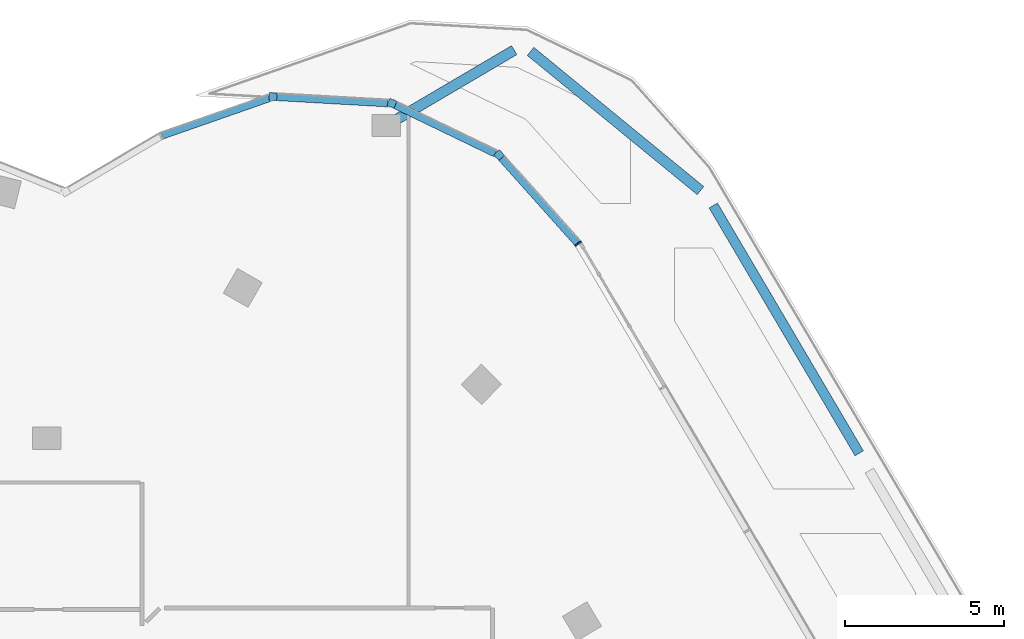
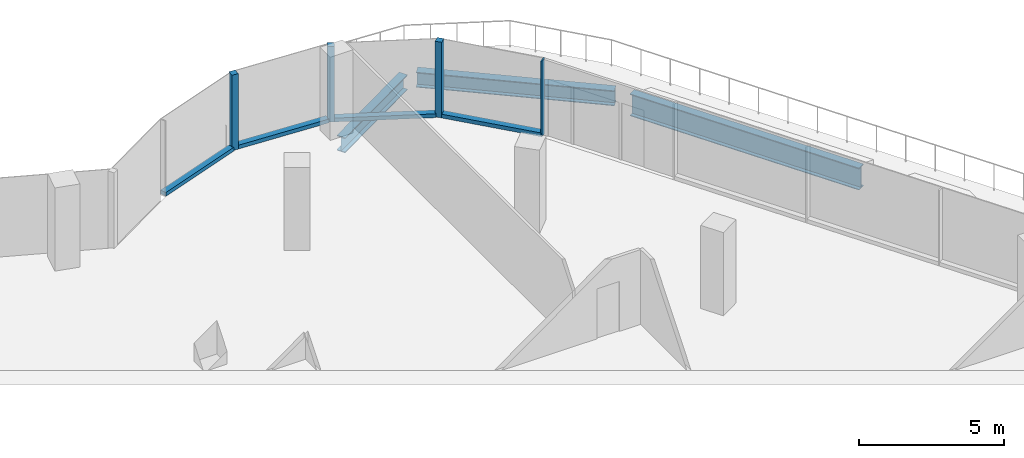
# One storey, part 9 of 17: 8 members, 3 beams, 5 elements without a shape of their own.
"""IFC4 building model written with IfcOpenShell, lengths in metres."""

from ifc_helpers import new_model, si_unit, direction, frame, origin, origin_2d, place, context, subcontext, project, spatial, rectangle, i_section, extrude, material, material_profile, profile_set, type_object, element, aggregate, save


model = new_model("IFC4")

# Units and contexts
model_context = context("Model", 3, precision=1e-05, world=origin(), true_north=direction((0.0, 1.0)))
body_context = subcontext(model_context, "Body", "Model", "MODEL_VIEW")
ifc_project = project(units=[si_unit("LENGTHUNIT", "METRE"), si_unit("AREAUNIT", "SQUARE_METRE"), si_unit("VOLUMEUNIT", "CUBIC_METRE"), si_unit("PLANEANGLEUNIT", "RADIAN"), si_unit("MASSUNIT", "GRAM", prefix="KILO")], contexts=[model_context])

# Site, building, storey
site_placement = place(None, origin())
site = spatial("IfcSite", under=ifc_project, at=site_placement, CompositionType="ELEMENT")
building_placement = place(site_placement, origin())
building = spatial("IfcBuilding", under=site, at=building_placement, Name="Orlundy Tower", CompositionType="ELEMENT")
storey_placement = place(building_placement, frame((0.0, 0.0, 289.39990234375)))
storey = spatial("IfcBuildingStorey", under=building, at=storey_placement, Name="L77", CompositionType="ELEMENT", Elevation=289.39990234375)

# Curtain wall, member
ifc_material_1 = material(Name="Aluminium bronze anodised", Category="aluminium")
curtain_wall_type = type_object("IfcCurtainWallType", Name="CW6 wall", PredefinedType="NOTDEFINED", material=ifc_material_1)
curtain_wall_1_placement = place(storey_placement, origin())
curtain_wall_1 = element("IfcCurtainWall", 1, at=curtain_wall_1_placement, inside=storey, type_object=curtain_wall_type, Name="CW6 run 08", PredefinedType="NOTDEFINED")
ifc_material_2 = material(Name="Aluminium bronze anodised", Category="aluminium")
ifc_material_profile_1 = material_profile(ifc_material_2, rectangle(XDim=0.239990234375, YDim=0.239990234375, at=origin_2d()), Name="CW6 corner post 240x240")
ifc_profile_set_1 = profile_set([ifc_material_profile_1], Name="Aluminium bronze anodised")
member_type_1 = type_object("IfcMemberType", Name="CW6 corner post 240x240", PredefinedType="MULLION", material=ifc_profile_set_1)
member_1_placement = place(storey_placement, frame((15.73388671875, 31.772216796875, 0.0), z_axis=(0.0, 0.0, 1.0), x_axis=(0.056650299193, 0.998394082315, 0.0)))
member_1 = element("IfcMember", 2, at=member_1_placement, type_object=member_type_1, Name="CW6 mullion 24", PredefinedType="MULLION", context=body_context, shape_type="SweptSolid", body=[
    extrude(rectangle(XDim=0.239990234375, YDim=0.239990234375, at=origin_2d()), origin(), (0.0, 0.0, 1.0), 3.18017578125),
])

curtain_wall_2_placement = place(storey_placement, origin())
curtain_wall_2 = element("IfcCurtainWall", 3, at=curtain_wall_2_placement, inside=storey, type_object=curtain_wall_type, Name="CW6 run 09", PredefinedType="NOTDEFINED")
member_2_placement = place(storey_placement, frame((19.482666015625, 31.5595703125, 0.0), z_axis=(0.0, 0.0, 1.0), x_axis=(0.434650977101, 0.900598982958, 0.0)))
member_2 = element("IfcMember", 4, at=member_2_placement, type_object=member_type_1, Name="CW6 mullion 25", PredefinedType="MULLION", context=body_context, shape_type="SweptSolid", body=[
    extrude(rectangle(XDim=0.239990234375, YDim=0.239990234375, at=origin_2d()), origin(), (0.0, 0.0, 1.0), 3.18017578125),
])

curtain_wall_3_placement = place(storey_placement, origin())
curtain_wall_3 = element("IfcCurtainWall", 5, at=curtain_wall_3_placement, inside=storey, type_object=curtain_wall_type, Name="CW6 run 010", PredefinedType="NOTDEFINED")
member_3_placement = place(storey_placement, frame((22.863525390625, 29.927734375, 0.0), z_axis=(0.0, 0.0, 1.0), x_axis=(0.745904155272, 0.666053294525, 0.0)))
member_3 = element("IfcMember", 6, at=member_3_placement, type_object=member_type_1, Name="CW6 mullion 26", PredefinedType="MULLION", context=body_context, shape_type="SweptSolid", body=[
    extrude(rectangle(XDim=0.239990234375, YDim=0.239990234375, at=origin_2d()), origin(), (0.0, 0.0, 1.0), 3.18017578125),
])

curtain_wall_4_placement = place(storey_placement, origin())
curtain_wall_4 = element("IfcCurtainWall", 7, at=curtain_wall_4_placement, inside=storey, type_object=curtain_wall_type, Name="CW6 run 011", PredefinedType="NOTDEFINED")
ifc_material_3 = material(Name="Aluminium bronze anodised", Category="aluminium")
ifc_material_profile_2 = material_profile(ifc_material_3, rectangle(XDim=0.239990234375, YDim=0.050048828125, at=origin_2d()), Name="CW6 mullion 50x240")
ifc_profile_set_2 = profile_set([ifc_material_profile_2], Name="Aluminium bronze anodised")
member_type_2 = type_object("IfcMemberType", Name="CW6 mullion 50x240", PredefinedType="MULLION", material=ifc_profile_set_2)
member_4_placement = place(storey_placement, frame((25.3564453125, 27.135986328125, 0.0), z_axis=(0.0, 0.0, 1.0), x_axis=(0.807667080972, 0.589638776129, 0.0)))
member_4 = element("IfcMember", 8, at=member_4_placement, type_object=member_type_2, Name="CW6 mullion 27", PredefinedType="MULLION", context=body_context, shape_type="SweptSolid", body=[
    extrude(rectangle(XDim=0.239990234375, YDim=0.050048828125, at=origin_2d()), origin(), (0.0, 0.0, 1.0), 3.18017578125),
])
aggregate(curtain_wall_4, [member_4])

curtain_wall_5_placement = place(storey_placement, origin())
curtain_wall_5 = element("IfcCurtainWall", 9, at=curtain_wall_5_placement, inside=storey, type_object=curtain_wall_type, Name="CW6 run 07", PredefinedType="NOTDEFINED")
ifc_material_4 = material(Name="Aluminium bronze anodised", Category="aluminium")
ifc_material_profile_3 = material_profile(ifc_material_4, rectangle(XDim=0.239990234375, YDim=0.159912109375, at=origin_2d()), Name="CW6 transom 240x160")
ifc_profile_set_3 = profile_set([ifc_material_profile_3], Name="Aluminium bronze anodised")
member_type_3 = type_object("IfcMemberType", Name="CW6 transom 240x160", PredefinedType="USERDEFINED", material=ifc_profile_set_3)
member_5_placement = place(storey_placement, frame((12.22509765625, 30.546630859375, 0.080078125), z_axis=(0.944080987072, 0.329713648261, 0.0), x_axis=(-0.329713648261, 0.944080987072, 0.0)))
member_5 = element("IfcMember", 10, at=member_5_placement, type_object=member_type_3, Name="CW6 transom", ObjectType="TRANSOM", PredefinedType="USERDEFINED", context=body_context, shape_type="SweptSolid", body=[
    extrude(rectangle(XDim=0.239990234375, YDim=0.159912109375, at=origin_2d()), origin(), (0.0, 0.0, 1.0), 3.5869140625),
])
aggregate(curtain_wall_5, [member_5])

# Member
member_6_placement = place(storey_placement, frame((15.853759765625, 31.765380859375, 0.080078125), z_axis=(0.998395164741, -0.056631219489, 0.0), x_axis=(0.056631219489, 0.998395164741, 0.0)))
member_6 = element("IfcMember", 11, at=member_6_placement, type_object=member_type_3, Name="CW6 transom", ObjectType="TRANSOM", PredefinedType="USERDEFINED", context=body_context, shape_type="SweptSolid", body=[
    extrude(rectangle(XDim=0.239990234375, YDim=0.159912109375, at=origin_2d()), origin(), (0.0, 0.0, 1.0), 3.5048828125),
])

aggregate(curtain_wall_1, [member_1, member_6])

member_7_placement = place(storey_placement, frame((19.5908203125, 31.50732421875, 0.080078125), z_axis=(0.900582674137, -0.434684767441, 0.0), x_axis=(0.434684767441, 0.900582674137, 0.0)))
member_7 = element("IfcMember", 12, at=member_7_placement, type_object=member_type_3, Name="CW6 transom", ObjectType="TRANSOM", PredefinedType="USERDEFINED", context=body_context, shape_type="SweptSolid", body=[
    extrude(rectangle(XDim=0.239990234375, YDim=0.159912109375, at=origin_2d()), origin(), (0.0, 0.0, 1.0), 3.504150390625),
])

aggregate(curtain_wall_2, [member_2, member_7])

member_8_placement = place(storey_placement, frame((22.943603515625, 29.838134765625, 0.080078125), z_axis=(0.666038696107, -0.745917190637, 0.0), x_axis=(0.745917190637, 0.666038696107, 0.0)))
member_8 = element("IfcMember", 13, at=member_8_placement, type_object=member_type_3, Name="CW6 transom", ObjectType="TRANSOM", PredefinedType="USERDEFINED", context=body_context, shape_type="SweptSolid", body=[
    extrude(rectangle(XDim=0.239990234375, YDim=0.159912109375, at=origin_2d()), origin(), (0.0, 0.0, 1.0), 3.597412109375),
])

aggregate(curtain_wall_3, [member_3, member_8])

# Beams
ifc_material_5 = material(Name="Steel ASTM A992 Gr 50", Category="steel")
ifc_material_profile_4 = material_profile(ifc_material_5, i_section(OverallWidth=0.3291015625, OverallDepth=0.635009765625, WebThickness=0.017822265625, FlangeThickness=0.031005859375, at=origin_2d()), Name="W24X162")
ifc_profile_set_4 = profile_set([ifc_material_profile_4], Name="Steel ASTM A992 Gr 50")
beam_type_1 = type_object("IfcBeamType", Name="TERRACE EDGE BEAM beam W24X162", PredefinedType="BEAM", material=ifc_profile_set_4)
beam_1_placement = place(storey_placement, frame((23.853759765625, 33.197509765625, -0.71728515625), z_axis=(0.773633694695, -0.633633100803, 0.0), x_axis=(0.633633100803, 0.773633694695, 0.0)))
element("IfcBeam", 14, at=beam_1_placement, inside=storey, type_object=beam_type_1, Name="Terrace edge beam L77-1-01", PredefinedType="BEAM", context=body_context, shape_type="SweptSolid", body=[
    extrude(i_section(OverallWidth=0.3291015625, OverallDepth=0.635009765625, WebThickness=0.017822265625, FlangeThickness=0.031005859375, at=origin_2d()), origin(), (0.0, 0.0, 1.0), 6.926513671875),
])
beam_2_placement = place(storey_placement, frame((19.573486328125, 31.019775390625, -0.71728515625), z_axis=(0.861659755469, 0.507486419331, 0.0), x_axis=(-0.507486419331, 0.861659755469, 0.0)))
element("IfcBeam", 15, at=beam_2_placement, inside=storey, type_object=beam_type_1, Name="Terrace edge beam L77-1-06", PredefinedType="BEAM", context=body_context, shape_type="SweptSolid", body=[
    extrude(i_section(OverallWidth=0.3291015625, OverallDepth=0.635009765625, WebThickness=0.017822265625, FlangeThickness=0.031005859375, at=origin_2d()), origin(), (0.0, 0.0, 1.0), 4.36962890625),
])
ifc_material_6 = material(Name="Steel ASTM A992 Gr 50", Category="steel")
ifc_material_profile_5 = material_profile(ifc_material_6, i_section(OverallWidth=0.3076171875, OverallDepth=0.9267578125, WebThickness=0.01953125, FlangeThickness=0.031982421875, at=origin_2d()), Name="W36X194")
ifc_profile_set_5 = profile_set([ifc_material_profile_5], Name="Steel ASTM A992 Gr 50")
beam_type_2 = type_object("IfcBeamType", Name="TERRACE EDGE BEAM beam W36X194", PredefinedType="BEAM", material=ifc_profile_set_5)
beam_3_placement = place(storey_placement, frame((29.615966796875, 28.337646484375, -0.86328125), z_axis=(0.50749999357, -0.861651760589, 0.0), x_axis=(0.861651760589, 0.50749999357, 0.0)))
element("IfcBeam", 16, at=beam_3_placement, inside=storey, type_object=beam_type_2, Name="Terrace edge beam L77-1-02", PredefinedType="BEAM", context=body_context, shape_type="SweptSolid", body=[
    extrude(i_section(OverallWidth=0.3076171875, OverallDepth=0.9267578125, WebThickness=0.01953125, FlangeThickness=0.031982421875, at=origin_2d()), origin(), (0.0, 0.0, 1.0), 9.070068359375),
])

save(model, "model.ifc")
